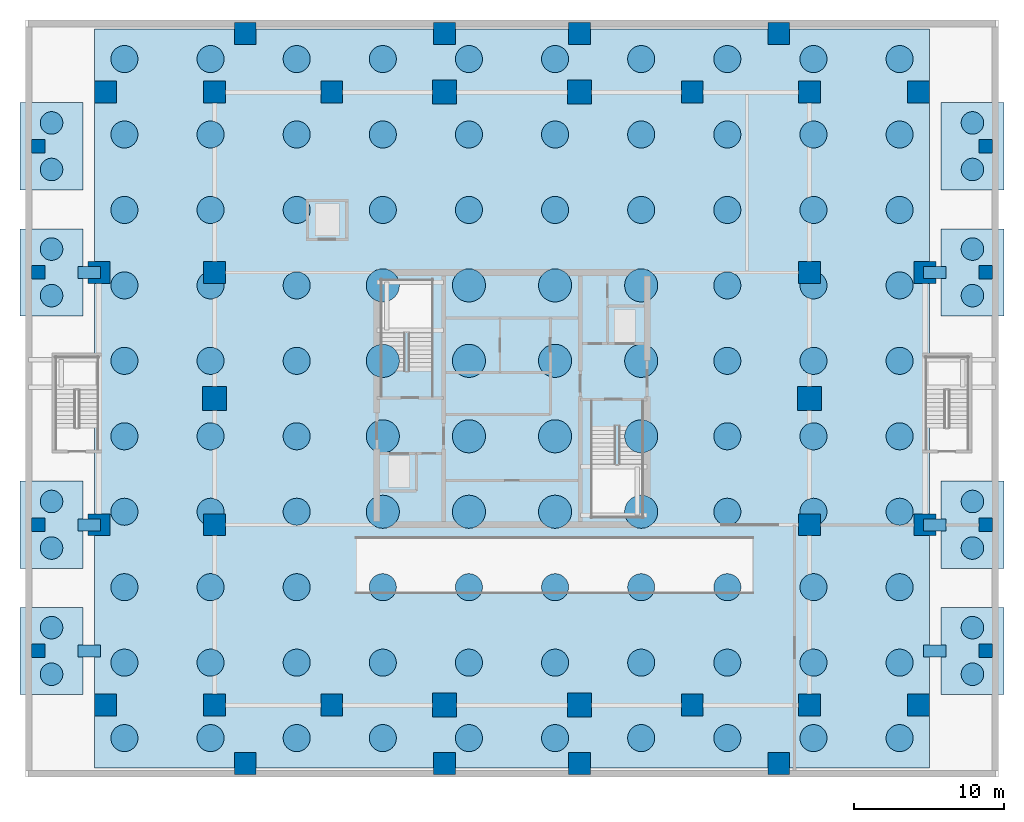
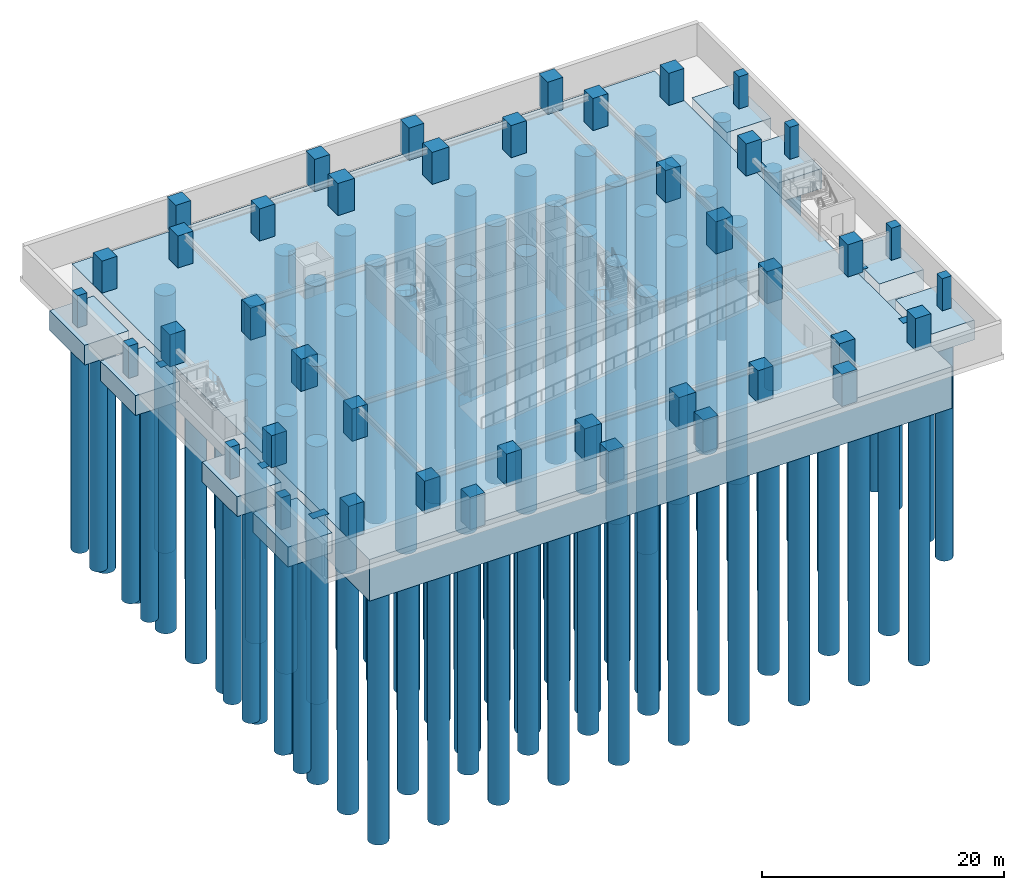
# One storey, part 1 of 12: 116 piles, 42 columns, 15 footings.
"""IFC4 building model written with IfcOpenShell, lengths in metres."""

import ifcopenshell
import ifcopenshell.guid

model = None  # the IFC model being written
_history = None  # IfcOwnerHistory: only IFC2X3 demands one
_inside = {}  # id of a spatial element -> (the spatial element, [elements in it])
_under = {}  # id of a project, library or spatial element -> (it, [spatial elements below it])
_declared = {}  # id of a project -> (the project, [libraries it declares])
_typed = {}  # id of a type object -> (the type object, [elements of that type])
_made_of = {}  # id of a material, layer set ... -> (it, [elements and type objects made of it])


def new_model(schema):
    """Start an empty IFC model of exactly this schema.

    Asked for "IFC4X3", IfcOpenShell would pick the latest addendum, in which some entities
    have other attributes; the version numbers below select the first issue.
    IFC2X3 requires an IfcOwnerHistory on every rooted entity: one is made here for all.
    """
    global model, _history
    if schema == "IFC4X3":
        model = ifcopenshell.file(schema_version=(4, 3, 0, 0))
    else:
        model = ifcopenshell.file(schema=schema)
    _inside.clear()
    _under.clear()
    _declared.clear()
    _typed.clear()
    _made_of.clear()
    _history = None
    if model.schema == "IFC2X3":
        org = make("IfcOrganization", Name="unknown")
        user = make(
            "IfcPersonAndOrganization",
            ThePerson=make("IfcPerson", FamilyName="unknown"),
            TheOrganization=org,
        )
        app = make(
            "IfcApplication",
            ApplicationDeveloper=org,
            Version="unknown",
            ApplicationFullName="unknown",
            ApplicationIdentifier="unknown",
        )
        _history = make(
            "IfcOwnerHistory",
            OwningUser=user,
            OwningApplication=app,
            ChangeAction="ADDED",
            CreationDate=0,
        )
    return model


def make(cls, **values):
    """One entity of the class cls with the attributes given. An attribute that is None is left unset."""
    return model.create_entity(
        cls, **{name: value for name, value in values.items() if value is not None}
    )


def rooted(cls, **values):
    """An entity with a GlobalId (a new one), such as an element, a storey or a relation."""
    return make(cls, GlobalId=ifcopenshell.guid.new(), OwnerHistory=_history, **values)


def si_unit(unit_type, name, prefix=None):
    """IfcSIUnit, for example si_unit("LENGTHUNIT", "METRE", prefix="MILLI")."""
    return make("IfcSIUnit", UnitType=unit_type, Prefix=prefix, Name=name)


def assignment(units):
    """IfcUnitAssignment: the units of a project."""
    return None if units is None else make("IfcUnitAssignment", Units=units)


def point(xyz):
    """IfcCartesianPoint."""
    return None if xyz is None else make("IfcCartesianPoint", Coordinates=xyz)


def direction(xyz):
    """IfcDirection."""
    return None if xyz is None else make("IfcDirection", DirectionRatios=xyz)


def frame(location, z_axis=None, x_axis=None):
    """IfcAxis2Placement3D, a coordinate frame: its origin and axes. An axis left out is left unset."""
    return make(
        "IfcAxis2Placement3D",
        Location=point(location),
        Axis=direction(z_axis),
        RefDirection=direction(x_axis),
    )


def frame_2d(location, x_axis=None):
    """IfcAxis2Placement2D, a coordinate frame in the plane: its origin and x axis."""
    return make(
        "IfcAxis2Placement2D", Location=point(location), RefDirection=direction(x_axis)
    )


def origin():
    """The frame at (0, 0, 0) with its axes left unset."""
    return frame((0.0, 0.0, 0.0))


def origin_2d():
    """The frame at (0, 0) in the plane with its x axis left unset."""
    return frame_2d((0.0, 0.0))


def place(relative_to, where):
    """IfcLocalPlacement: puts the frame where relative to a parent placement (None: the world)."""
    return make(
        "IfcLocalPlacement", PlacementRelTo=relative_to, RelativePlacement=where
    )


def context(
    kind, dimensions, precision=None, world=None, true_north=None, identifier=None
):
    """IfcGeometricRepresentationContext, for example the 3D "Model" context."""
    return make(
        "IfcGeometricRepresentationContext",
        ContextIdentifier=identifier,
        ContextType=kind,
        CoordinateSpaceDimension=dimensions,
        Precision=precision,
        WorldCoordinateSystem=world,
        TrueNorth=true_north,
    )


def subcontext(parent, identifier, kind, view, scale=None):
    """IfcGeometricRepresentationSubContext, for example "Body" below "Model"."""
    return make(
        "IfcGeometricRepresentationSubContext",
        ContextIdentifier=identifier,
        ContextType=kind,
        ParentContext=parent,
        TargetScale=scale,
        TargetView=view,
    )


def project(units=None, contexts=None):
    """IfcProject with its units and contexts."""
    return rooted(
        "IfcProject",
        Name="project",
        RepresentationContexts=contexts,
        UnitsInContext=assignment(units),
    )


def spatial(cls, under=None, at=None, **own):
    """A site, building, storey or space (cls), placed at a placement, below another one or the project."""
    s = rooted(cls, ObjectPlacement=at, **own)
    if under is not None:
        _under.setdefault(under.id(), (under, []))[1].append(s)
    return s


def polyline(points):
    """IfcPolyline through the points."""
    return make("IfcPolyline", Points=[point(p) for p in points])


def profile(cls, at=None, kind="AREA", **sizes):
    """A parametric profile (cls). Its sizes go by their IFC names, for example OverallWidth=200.0."""
    return make(cls, ProfileType=kind, Position=at, **sizes)


def rectangle(**sizes):
    """IfcRectangleProfileDef."""
    return profile("IfcRectangleProfileDef", **sizes)


def circle(**sizes):
    """IfcCircleProfileDef."""
    return profile("IfcCircleProfileDef", **sizes)


def outline(outer, holes=None, kind="AREA"):
    """IfcArbitraryClosedProfileDef: a profile drawn as a closed curve; with holes, ...WithVoids."""
    if holes is None:
        return make("IfcArbitraryClosedProfileDef", ProfileType=kind, OuterCurve=outer)
    return make(
        "IfcArbitraryProfileDefWithVoids",
        ProfileType=kind,
        OuterCurve=outer,
        InnerCurves=holes,
    )


def extrude(swept, where, along, depth):
    """IfcExtrudedAreaSolid: the profile swept, set in the frame where, extruded along a direction by depth."""
    return make(
        "IfcExtrudedAreaSolid",
        SweptArea=swept,
        Position=where,
        ExtrudedDirection=direction(along),
        Depth=depth,
    )


def shape(context_of_items, identifier, shape_type, items):
    """IfcShapeRepresentation: the items that make up one representation, for example the "Body"."""
    return make(
        "IfcShapeRepresentation",
        ContextOfItems=context_of_items,
        RepresentationIdentifier=identifier,
        RepresentationType=shape_type,
        Items=items,
    )


def source(mapping_origin, context_of_items, identifier, shape_type, items):
    """IfcRepresentationMap: a shape defined once, which mapped items show again and again."""
    return make(
        "IfcRepresentationMap",
        MappingOrigin=mapping_origin,
        MappedRepresentation=shape(context_of_items, identifier, shape_type, items),
    )


def transform(
    local_origin,
    x_axis=None,
    y_axis=None,
    z_axis=None,
    scale=None,
    scale2=None,
    scale3=None,
    uniform=True,
):
    """IfcCartesianTransformationOperator3D, or its non-uniform kind. x_axis, y_axis, z_axis: its Axis1, 2, 3."""
    if uniform:
        return make(
            "IfcCartesianTransformationOperator3D",
            Axis1=direction(x_axis),
            Axis2=direction(y_axis),
            LocalOrigin=point(local_origin),
            Scale=scale,
            Axis3=direction(z_axis),
        )
    return make(
        "IfcCartesianTransformationOperator3DnonUniform",
        Axis1=direction(x_axis),
        Axis2=direction(y_axis),
        LocalOrigin=point(local_origin),
        Scale=scale,
        Axis3=direction(z_axis),
        Scale2=scale2,
        Scale3=scale3,
    )


def mapped(mapping_source, mapping_target):
    """IfcMappedItem: shows the shape of a source again, moved by a transform."""
    return make(
        "IfcMappedItem", MappingSource=mapping_source, MappingTarget=mapping_target
    )


def material(Name=None, Category=None):
    """IfcMaterial."""
    return make("IfcMaterial", Name=Name, Category=Category)


def layer(
    of_material, thickness, ventilated=None, Name=None, Category=None, Priority=None
):
    """IfcMaterialLayer: one layer of a wall or slab, of a material (None: an air gap)."""
    return make(
        "IfcMaterialLayer",
        Material=of_material,
        LayerThickness=thickness,
        IsVentilated=ventilated,
        Name=Name,
        Category=Category,
        Priority=Priority,
    )


def layer_set(layers, Name=None):
    """IfcMaterialLayerSet."""
    return make("IfcMaterialLayerSet", MaterialLayers=layers, LayerSetName=Name)


def material_profile(
    of_material, cross_section, Name=None, Category=None, Priority=None
):
    """IfcMaterialProfile: a cross section and its material."""
    return make(
        "IfcMaterialProfile",
        Name=Name,
        Material=of_material,
        Profile=cross_section,
        Priority=Priority,
        Category=Category,
    )


def profile_set(profiles, Name=None, composite=None):
    """IfcMaterialProfileSet."""
    return make(
        "IfcMaterialProfileSet",
        Name=Name,
        MaterialProfiles=profiles,
        CompositeProfile=composite,
    )


def made_of(thing, what):
    """Note that an element or type object is made of a material, layer set ...; save() writes the relation."""
    if what is not None:
        _made_of.setdefault(what.id(), (what, []))[1].append(thing)
    return thing


def type_object(cls, material=None, **own):
    """A type object (cls), such as IfcWallType, which elements share."""
    return made_of(rooted(cls, **own), material)


def element(
    cls,
    number,
    at=None,
    inside=None,
    cuts=None,
    type_object=None,
    material=None,
    context=None,
    identifier="Body",
    shape_type=None,
    held_by="IfcProductDefinitionShape",
    body=None,
    shapes=None,
    **own,
):
    """One element of the class cls, such as IfcWall. Its Tag is "e" and its number.

    at: its placement. inside: the storey or other place that contains it. cuts: it is an
    opening in that element (IfcRelVoidsElement). A single representation is given by context,
    identifier, shape_type and body (its items); several are given by shapes. held_by: the class
    of the entity that holds the representations. save() writes the other relations.
    """
    e = rooted(cls, Tag="e%d" % number, ObjectPlacement=at, **own)
    if body is not None:
        shapes = [shape(context, identifier, shape_type, body)]
    if shapes is not None:
        e.Representation = make(held_by, Representations=shapes)
    if inside is not None:
        _inside.setdefault(inside.id(), (inside, []))[1].append(e)
    if cuts is not None:
        rooted(
            "IfcRelVoidsElement", RelatingBuildingElement=cuts, RelatedOpeningElement=e
        )
    if type_object is not None:
        _typed.setdefault(type_object.id(), (type_object, []))[1].append(e)
    return made_of(e, material)


def aggregate(whole, parts):
    """IfcRelAggregates: a whole, such as a stair, and the parts it consists of."""
    return rooted("IfcRelAggregates", RelatingObject=whole, RelatedObjects=parts)


def save(model, path):
    """Write the relations noted so far, then the file.

    IfcRelAggregates (storeys below a building ...), IfcRelContainedInSpatialStructure (elements
    in a storey), IfcRelDefinesByType, IfcRelAssociatesMaterial and IfcRelDeclares: one each for
    every whole, place, type object, material and project.
    """
    for whole, parts in _under.values():
        aggregate(whole, parts)
    for where, things in _inside.values():
        rooted(
            "IfcRelContainedInSpatialStructure",
            RelatedElements=things,
            RelatingStructure=where,
        )
    for kind, things in _typed.values():
        rooted("IfcRelDefinesByType", RelatedObjects=things, RelatingType=kind)
    for what, things in _made_of.values():
        rooted("IfcRelAssociatesMaterial", RelatedObjects=things, RelatingMaterial=what)
    for by, libraries in _declared.values():
        rooted("IfcRelDeclares", RelatingContext=by, RelatedDefinitions=libraries)
    model.write(path)


model = new_model("IFC4")

# Units and contexts
model_context = context("Model", 3, precision=1e-05, world=origin(), true_north=direction((0.0, 1.0)))
body_context = subcontext(model_context, "Body", "Model", "MODEL_VIEW")
ifc_project = project(units=[si_unit("LENGTHUNIT", "METRE"), si_unit("AREAUNIT", "SQUARE_METRE"), si_unit("VOLUMEUNIT", "CUBIC_METRE"), si_unit("PLANEANGLEUNIT", "RADIAN"), si_unit("MASSUNIT", "GRAM", prefix="KILO")], contexts=[model_context])

# Site, building, storey
site_placement = place(None, origin())
site = spatial("IfcSite", under=ifc_project, at=site_placement, CompositionType="ELEMENT")
building_placement = place(site_placement, origin())
building = spatial("IfcBuilding", under=site, at=building_placement, Name="Serunith Strait Residences", CompositionType="ELEMENT")
storey_placement = place(building_placement, frame((0.0, 0.0, -10.800048828125)))
storey = spatial("IfcBuildingStorey", under=building, at=storey_placement, Name="B03", CompositionType="ELEMENT", Elevation=-10.800048828125)

# Footings
ifc_material_1 = material(Name="Concrete C50/60", Category="concrete")
ifc_layer_1 = layer(ifc_material_1, 2.0, Name="Concrete C50/60")
ifc_layer_set_1 = layer_set([ifc_layer_1], Name="Concrete C50/60")
footing_type_1 = type_object("IfcFootingType", Name="FND-PC2", PredefinedType="PILE_CAP", material=ifc_layer_set_1)
footing_1_placement = place(storey_placement, frame((0.0, 0.0, -2.0)))
element("IfcFooting", 1, at=footing_1_placement, inside=storey, type_object=footing_type_1, Name="Podium Pile Cap FND-PC-01", PredefinedType="PILE_CAP", context=body_context, shape_type="SweptSolid", body=[
    extrude(outline(polyline([(-0.35009765625, 5.5), (3.85009765625, 5.5), (3.85009765625, 11.300048828125), (-0.35009765625, 11.300048828125), (-0.35009765625, 5.5)])), origin(), (0.0, 0.0, 1.0), 2.0),
])
footing_2_placement = place(storey_placement, frame((0.0, 0.0, -2.0)))
element("IfcFooting", 2, at=footing_2_placement, inside=storey, type_object=footing_type_1, Name="Podium Pile Cap FND-PC-02", PredefinedType="PILE_CAP", context=body_context, shape_type="SweptSolid", body=[
    extrude(outline(polyline([(-0.35009765625, 13.89990234375), (3.85009765625, 13.89990234375), (3.85009765625, 19.699951171875), (-0.35009765625, 19.699951171875), (-0.35009765625, 13.89990234375)])), origin(), (0.0, 0.0, 1.0), 2.0),
])
footing_3_placement = place(storey_placement, frame((0.0, 0.0, -2.0)))
element("IfcFooting", 3, at=footing_3_placement, inside=storey, type_object=footing_type_1, Name="Podium Pile Cap FND-PC-03", PredefinedType="PILE_CAP", context=body_context, shape_type="SweptSolid", body=[
    extrude(outline(polyline([(-0.35009765625, 30.699951171875), (3.85009765625, 30.699951171875), (3.85009765625, 36.5), (-0.35009765625, 36.5), (-0.35009765625, 30.699951171875)])), origin(), (0.0, 0.0, 1.0), 2.0),
])
footing_4_placement = place(storey_placement, frame((0.0, 0.0, -2.0)))
element("IfcFooting", 4, at=footing_4_placement, inside=storey, type_object=footing_type_1, Name="Podium Pile Cap FND-PC-04", PredefinedType="PILE_CAP", context=body_context, shape_type="SweptSolid", body=[
    extrude(outline(polyline([(-0.35009765625, 39.10009765625), (3.85009765625, 39.10009765625), (3.85009765625, 44.89990234375), (-0.35009765625, 44.89990234375), (-0.35009765625, 39.10009765625)])), origin(), (0.0, 0.0, 1.0), 2.0),
])
footing_5_placement = place(storey_placement, frame((0.0, 0.0, -2.0)))
element("IfcFooting", 5, at=footing_5_placement, inside=storey, type_object=footing_type_1, Name="Podium Pile Cap FND-PC-05", PredefinedType="PILE_CAP", context=body_context, shape_type="SweptSolid", body=[
    extrude(outline(polyline([(60.949951171875, 5.5), (65.14990234375, 5.5), (65.14990234375, 11.300048828125), (60.949951171875, 11.300048828125), (60.949951171875, 5.5)])), origin(), (0.0, 0.0, 1.0), 2.0),
])
footing_6_placement = place(storey_placement, frame((0.0, 0.0, -2.0)))
element("IfcFooting", 6, at=footing_6_placement, inside=storey, type_object=footing_type_1, Name="Podium Pile Cap FND-PC-06", PredefinedType="PILE_CAP", context=body_context, shape_type="SweptSolid", body=[
    extrude(outline(polyline([(60.949951171875, 13.89990234375), (65.14990234375, 13.89990234375), (65.14990234375, 19.699951171875), (60.949951171875, 19.699951171875), (60.949951171875, 13.89990234375)])), origin(), (0.0, 0.0, 1.0), 2.0),
])
footing_7_placement = place(storey_placement, frame((0.0, 0.0, -2.0)))
element("IfcFooting", 7, at=footing_7_placement, inside=storey, type_object=footing_type_1, Name="Podium Pile Cap FND-PC-07", PredefinedType="PILE_CAP", context=body_context, shape_type="SweptSolid", body=[
    extrude(outline(polyline([(60.949951171875, 30.699951171875), (65.14990234375, 30.699951171875), (65.14990234375, 36.5), (60.949951171875, 36.5), (60.949951171875, 30.699951171875)])), origin(), (0.0, 0.0, 1.0), 2.0),
])
footing_8_placement = place(storey_placement, frame((0.0, 0.0, -2.0)))
element("IfcFooting", 8, at=footing_8_placement, inside=storey, type_object=footing_type_1, Name="Podium Pile Cap FND-PC-08", PredefinedType="PILE_CAP", context=body_context, shape_type="SweptSolid", body=[
    extrude(outline(polyline([(60.949951171875, 39.10009765625), (65.14990234375, 39.10009765625), (65.14990234375, 44.89990234375), (60.949951171875, 44.89990234375), (60.949951171875, 39.10009765625)])), origin(), (0.0, 0.0, 1.0), 2.0),
])
ifc_layer_2 = layer(ifc_material_1, 4.199951171875, Name="Concrete C50/60")
ifc_layer_set_2 = layer_set([ifc_layer_2], Name="Concrete C50/60")
footing_type_2 = type_object("IfcFootingType", Name="FND-RAFT", PredefinedType="PILE_CAP", material=ifc_layer_set_2)
footing_9_placement = place(storey_placement, frame((0.0, 0.0, -4.199951171875)))
element("IfcFooting", 9, at=footing_9_placement, inside=storey, type_object=footing_type_2, Name="Tower Piled Raft Foundation", PredefinedType="PILE_CAP", context=body_context, shape_type="SweptSolid", body=[
    extrude(outline(polyline([(4.60009765625, 0.60009765625), (60.199951171875, 0.60009765625), (60.199951171875, 49.800048828125), (4.60009765625, 49.800048828125), (4.60009765625, 0.60009765625)])), origin(), (0.0, 0.0, 1.0), 4.199951171875),
])
ifc_material_profile_1 = material_profile(ifc_material_1, rectangle(XDim=0.800048828125, YDim=1.39990234375, at=origin_2d()), Name="RC 800x1400")
ifc_profile_set_1 = profile_set([ifc_material_profile_1], Name="Concrete C50/60")
footing_type_3 = type_object("IfcFootingType", Name="FND-GB800", PredefinedType="FOOTING_BEAM", material=ifc_profile_set_1)
shared_shape_1 = source(origin(), body_context, "Body", "SweptSolid", [
    extrude(rectangle(XDim=0.800048828125, YDim=1.39990234375, at=origin_2d()), origin(), (0.0, 0.0, 1.0), 1.5),
])
for number, where, z_axis, x_axis, name in (
    (10, (3.5, 8.39990234375, -0.699951171875), (1.0, 0.0, 0.0), (0.0, 1.0, 0.0), "Foundation Tie Beam 01"),
    (11, (3.5, 16.800048828125, -0.699951171875), (1.0, 0.0, 0.0), (0.0, 1.0, 0.0), "Foundation Tie Beam 02"),
    (12, (3.5, 33.60009765625, -0.699951171875), (1.0, 0.0, 0.0), (0.0, 1.0, 0.0), "Foundation Tie Beam 03"),
    (13, (59.800048828125, 8.39990234375, -0.699951171875), (1.0, 0.0, 0.0), (0.0, 1.0, 0.0), "Foundation Tie Beam 04"),
    (14, (59.800048828125, 16.800048828125, -0.699951171875), (1.0, 0.0, 0.0), (0.0, 1.0, 0.0), "Foundation Tie Beam 05"),
    (15, (59.800048828125, 33.60009765625, -0.699951171875), (1.0, 0.0, 0.0), (0.0, 1.0, 0.0), "Foundation Tie Beam 06"),
):
    element("IfcFooting", number, at=place(storey_placement, frame(where, z_axis=z_axis, x_axis=x_axis)), inside=storey, type_object=footing_type_3, Name=name, PredefinedType="FOOTING_BEAM", context=body_context, shape_type="MappedRepresentation", body=[
        mapped(shared_shape_1, transform((0.0, 0.0, 0.0), scale=1.0)),
    ])

# Piles
ifc_material_profile_2 = material_profile(ifc_material_1, circle(Radius=0.89990234375, at=origin_2d()), Name="PILE D1800")
ifc_profile_set_2 = profile_set([ifc_material_profile_2], Name="Concrete C50/60")
pile_type_1 = type_object("IfcPileType", Name="PILE-1800", PredefinedType="BORED", material=ifc_profile_set_2)
shared_shape_2 = source(origin(), body_context, "Body", "SweptSolid", [
    extrude(circle(Radius=0.89990234375, at=origin_2d()), origin(), (0.0, 0.0, 1.0), 26.0),
])
for number, where, z_axis, x_axis, name in (
    (16, (6.60009765625, 2.60009765625, -4.099853515625), (0.0, 0.0, -1.0), (1.0, 0.0, 0.0), "Bored Pile PILE-001"),
    (17, (6.60009765625, 7.622314453125, -4.099853515625), (0.0, 0.0, -1.0), (1.0, 0.0, 0.0), "Bored Pile PILE-002"),
    (18, (6.60009765625, 12.644287109375, -4.099853515625), (0.0, 0.0, -1.0), (1.0, 0.0, 0.0), "Bored Pile PILE-003"),
    (19, (6.60009765625, 17.666748046875, -4.099853515625), (0.0, 0.0, -1.0), (1.0, 0.0, 0.0), "Bored Pile PILE-004"),
    (20, (6.60009765625, 22.68896484375, -4.099853515625), (0.0, 0.0, -1.0), (1.0, 0.0, 0.0), "Bored Pile PILE-005"),
    (21, (6.60009765625, 27.711181640625, -4.099853515625), (0.0, 0.0, -1.0), (1.0, 0.0, 0.0), "Bored Pile PILE-006"),
    (22, (6.60009765625, 32.7333984375, -4.099853515625), (0.0, 0.0, -1.0), (1.0, 0.0, 0.0), "Bored Pile PILE-007"),
    (23, (6.60009765625, 37.755615234375, -4.099853515625), (0.0, 0.0, -1.0), (1.0, 0.0, 0.0), "Bored Pile PILE-008"),
    (24, (6.60009765625, 42.77783203125, -4.099853515625), (0.0, 0.0, -1.0), (1.0, 0.0, 0.0), "Bored Pile PILE-009"),
    (25, (6.60009765625, 47.800048828125, -4.099853515625), (0.0, 0.0, -1.0), (1.0, 0.0, 0.0), "Bored Pile PILE-010"),
    (26, (12.333251953125, 2.60009765625, -4.099853515625), (0.0, 0.0, -1.0), (1.0, 0.0, 0.0), "Bored Pile PILE-011"),
    (27, (12.333251953125, 7.622314453125, -4.099853515625), (0.0, 0.0, -1.0), (1.0, 0.0, 0.0), "Bored Pile PILE-012"),
    (28, (12.333251953125, 12.644287109375, -4.099853515625), (0.0, 0.0, -1.0), (1.0, 0.0, 0.0), "Bored Pile PILE-013"),
    (29, (12.333251953125, 17.666748046875, -4.099853515625), (0.0, 0.0, -1.0), (1.0, 0.0, 0.0), "Bored Pile PILE-014"),
    (30, (12.333251953125, 22.68896484375, -4.099853515625), (0.0, 0.0, -1.0), (1.0, 0.0, 0.0), "Bored Pile PILE-015"),
    (31, (12.333251953125, 27.711181640625, -4.099853515625), (0.0, 0.0, -1.0), (1.0, 0.0, 0.0), "Bored Pile PILE-016"),
    (32, (12.333251953125, 32.7333984375, -4.099853515625), (0.0, 0.0, -1.0), (1.0, 0.0, 0.0), "Bored Pile PILE-017"),
    (33, (12.333251953125, 37.755615234375, -4.099853515625), (0.0, 0.0, -1.0), (1.0, 0.0, 0.0), "Bored Pile PILE-018"),
    (34, (12.333251953125, 42.77783203125, -4.099853515625), (0.0, 0.0, -1.0), (1.0, 0.0, 0.0), "Bored Pile PILE-019"),
    (35, (12.333251953125, 47.800048828125, -4.099853515625), (0.0, 0.0, -1.0), (1.0, 0.0, 0.0), "Bored Pile PILE-020"),
    (36, (18.066650390625, 2.60009765625, -4.099853515625), (0.0, 0.0, -1.0), (1.0, 0.0, 0.0), "Bored Pile PILE-021"),
    (37, (18.066650390625, 7.622314453125, -4.099853515625), (0.0, 0.0, -1.0), (1.0, 0.0, 0.0), "Bored Pile PILE-022"),
    (38, (18.066650390625, 12.644287109375, -4.099853515625), (0.0, 0.0, -1.0), (1.0, 0.0, 0.0), "Bored Pile PILE-023"),
    (39, (18.066650390625, 17.666748046875, -4.099853515625), (0.0, 0.0, -1.0), (1.0, 0.0, 0.0), "Bored Pile PILE-024"),
    (40, (18.066650390625, 22.68896484375, -4.099853515625), (0.0, 0.0, -1.0), (1.0, 0.0, 0.0), "Bored Pile PILE-025"),
    (41, (18.066650390625, 27.711181640625, -4.099853515625), (0.0, 0.0, -1.0), (1.0, 0.0, 0.0), "Bored Pile PILE-026"),
    (42, (18.066650390625, 32.7333984375, -4.099853515625), (0.0, 0.0, -1.0), (1.0, 0.0, 0.0), "Bored Pile PILE-027"),
    (43, (18.066650390625, 37.755615234375, -4.099853515625), (0.0, 0.0, -1.0), (1.0, 0.0, 0.0), "Bored Pile PILE-028"),
    (44, (18.066650390625, 42.77783203125, -4.099853515625), (0.0, 0.0, -1.0), (1.0, 0.0, 0.0), "Bored Pile PILE-029"),
    (45, (18.066650390625, 47.800048828125, -4.099853515625), (0.0, 0.0, -1.0), (1.0, 0.0, 0.0), "Bored Pile PILE-030"),
    (46, (23.800048828125, 2.60009765625, -4.099853515625), (0.0, 0.0, -1.0), (1.0, 0.0, 0.0), "Bored Pile PILE-031"),
    (47, (23.800048828125, 7.622314453125, -4.099853515625), (0.0, 0.0, -1.0), (1.0, 0.0, 0.0), "Bored Pile PILE-032"),
    (48, (23.800048828125, 12.644287109375, -4.099853515625), (0.0, 0.0, -1.0), (1.0, 0.0, 0.0), "Bored Pile PILE-033"),
    (49, (23.800048828125, 37.755615234375, -4.099853515625), (0.0, 0.0, -1.0), (1.0, 0.0, 0.0), "Bored Pile PILE-038"),
    (50, (23.800048828125, 42.77783203125, -4.099853515625), (0.0, 0.0, -1.0), (1.0, 0.0, 0.0), "Bored Pile PILE-039"),
    (51, (23.800048828125, 47.800048828125, -4.099853515625), (0.0, 0.0, -1.0), (1.0, 0.0, 0.0), "Bored Pile PILE-040"),
    (52, (29.533203125, 2.60009765625, -4.099853515625), (0.0, 0.0, -1.0), (1.0, 0.0, 0.0), "Bored Pile PILE-041"),
    (53, (29.533203125, 7.622314453125, -4.099853515625), (0.0, 0.0, -1.0), (1.0, 0.0, 0.0), "Bored Pile PILE-042"),
    (54, (29.533203125, 12.644287109375, -4.099853515625), (0.0, 0.0, -1.0), (1.0, 0.0, 0.0), "Bored Pile PILE-043"),
    (55, (29.533203125, 37.755615234375, -4.099853515625), (0.0, 0.0, -1.0), (1.0, 0.0, 0.0), "Bored Pile PILE-048"),
    (56, (29.533203125, 42.77783203125, -4.099853515625), (0.0, 0.0, -1.0), (1.0, 0.0, 0.0), "Bored Pile PILE-049"),
    (57, (29.533203125, 47.800048828125, -4.099853515625), (0.0, 0.0, -1.0), (1.0, 0.0, 0.0), "Bored Pile PILE-050"),
    (58, (35.2666015625, 2.60009765625, -4.099853515625), (0.0, 0.0, -1.0), (1.0, 0.0, 0.0), "Bored Pile PILE-051"),
    (59, (35.2666015625, 7.622314453125, -4.099853515625), (0.0, 0.0, -1.0), (1.0, 0.0, 0.0), "Bored Pile PILE-052"),
    (60, (35.2666015625, 12.644287109375, -4.099853515625), (0.0, 0.0, -1.0), (1.0, 0.0, 0.0), "Bored Pile PILE-053"),
    (61, (35.2666015625, 37.755615234375, -4.099853515625), (0.0, 0.0, -1.0), (1.0, 0.0, 0.0), "Bored Pile PILE-058"),
    (62, (35.2666015625, 42.77783203125, -4.099853515625), (0.0, 0.0, -1.0), (1.0, 0.0, 0.0), "Bored Pile PILE-059"),
    (63, (35.2666015625, 47.800048828125, -4.099853515625), (0.0, 0.0, -1.0), (1.0, 0.0, 0.0), "Bored Pile PILE-060"),
    (64, (41.0, 2.60009765625, -4.099853515625), (0.0, 0.0, -1.0), (1.0, 0.0, 0.0), "Bored Pile PILE-061"),
    (65, (41.0, 7.622314453125, -4.099853515625), (0.0, 0.0, -1.0), (1.0, 0.0, 0.0), "Bored Pile PILE-062"),
    (66, (41.0, 12.644287109375, -4.099853515625), (0.0, 0.0, -1.0), (1.0, 0.0, 0.0), "Bored Pile PILE-063"),
    (67, (41.0, 37.755615234375, -4.099853515625), (0.0, 0.0, -1.0), (1.0, 0.0, 0.0), "Bored Pile PILE-068"),
    (68, (41.0, 42.77783203125, -4.099853515625), (0.0, 0.0, -1.0), (1.0, 0.0, 0.0), "Bored Pile PILE-069"),
    (69, (41.0, 47.800048828125, -4.099853515625), (0.0, 0.0, -1.0), (1.0, 0.0, 0.0), "Bored Pile PILE-070"),
    (70, (46.7333984375, 2.60009765625, -4.099853515625), (0.0, 0.0, -1.0), (1.0, 0.0, 0.0), "Bored Pile PILE-071"),
    (71, (46.7333984375, 7.622314453125, -4.099853515625), (0.0, 0.0, -1.0), (1.0, 0.0, 0.0), "Bored Pile PILE-072"),
    (72, (46.7333984375, 12.644287109375, -4.099853515625), (0.0, 0.0, -1.0), (1.0, 0.0, 0.0), "Bored Pile PILE-073"),
    (73, (46.7333984375, 17.666748046875, -4.099853515625), (0.0, 0.0, -1.0), (1.0, 0.0, 0.0), "Bored Pile PILE-074"),
    (74, (46.7333984375, 22.68896484375, -4.099853515625), (0.0, 0.0, -1.0), (1.0, 0.0, 0.0), "Bored Pile PILE-075"),
    (75, (46.7333984375, 27.711181640625, -4.099853515625), (0.0, 0.0, -1.0), (1.0, 0.0, 0.0), "Bored Pile PILE-076"),
    (76, (46.7333984375, 32.7333984375, -4.099853515625), (0.0, 0.0, -1.0), (1.0, 0.0, 0.0), "Bored Pile PILE-077"),
    (77, (46.7333984375, 37.755615234375, -4.099853515625), (0.0, 0.0, -1.0), (1.0, 0.0, 0.0), "Bored Pile PILE-078"),
    (78, (46.7333984375, 42.77783203125, -4.099853515625), (0.0, 0.0, -1.0), (1.0, 0.0, 0.0), "Bored Pile PILE-079"),
    (79, (46.7333984375, 47.800048828125, -4.099853515625), (0.0, 0.0, -1.0), (1.0, 0.0, 0.0), "Bored Pile PILE-080"),
    (80, (52.466796875, 2.60009765625, -4.099853515625), (0.0, 0.0, -1.0), (1.0, 0.0, 0.0), "Bored Pile PILE-081"),
    (81, (52.466796875, 7.622314453125, -4.099853515625), (0.0, 0.0, -1.0), (1.0, 0.0, 0.0), "Bored Pile PILE-082"),
    (82, (52.466796875, 12.644287109375, -4.099853515625), (0.0, 0.0, -1.0), (1.0, 0.0, 0.0), "Bored Pile PILE-083"),
    (83, (52.466796875, 17.666748046875, -4.099853515625), (0.0, 0.0, -1.0), (1.0, 0.0, 0.0), "Bored Pile PILE-084"),
    (84, (52.466796875, 22.68896484375, -4.099853515625), (0.0, 0.0, -1.0), (1.0, 0.0, 0.0), "Bored Pile PILE-085"),
    (85, (52.466796875, 27.711181640625, -4.099853515625), (0.0, 0.0, -1.0), (1.0, 0.0, 0.0), "Bored Pile PILE-086"),
    (86, (52.466796875, 32.7333984375, -4.099853515625), (0.0, 0.0, -1.0), (1.0, 0.0, 0.0), "Bored Pile PILE-087"),
    (87, (52.466796875, 37.755615234375, -4.099853515625), (0.0, 0.0, -1.0), (1.0, 0.0, 0.0), "Bored Pile PILE-088"),
    (88, (52.466796875, 42.77783203125, -4.099853515625), (0.0, 0.0, -1.0), (1.0, 0.0, 0.0), "Bored Pile PILE-089"),
    (89, (52.466796875, 47.800048828125, -4.099853515625), (0.0, 0.0, -1.0), (1.0, 0.0, 0.0), "Bored Pile PILE-090"),
    (90, (58.199951171875, 2.60009765625, -4.099853515625), (0.0, 0.0, -1.0), (1.0, 0.0, 0.0), "Bored Pile PILE-091"),
    (91, (58.199951171875, 7.622314453125, -4.099853515625), (0.0, 0.0, -1.0), (1.0, 0.0, 0.0), "Bored Pile PILE-092"),
    (92, (58.199951171875, 12.644287109375, -4.099853515625), (0.0, 0.0, -1.0), (1.0, 0.0, 0.0), "Bored Pile PILE-093"),
    (93, (58.199951171875, 17.666748046875, -4.099853515625), (0.0, 0.0, -1.0), (1.0, 0.0, 0.0), "Bored Pile PILE-094"),
    (94, (58.199951171875, 22.68896484375, -4.099853515625), (0.0, 0.0, -1.0), (1.0, 0.0, 0.0), "Bored Pile PILE-095"),
    (95, (58.199951171875, 27.711181640625, -4.099853515625), (0.0, 0.0, -1.0), (1.0, 0.0, 0.0), "Bored Pile PILE-096"),
    (96, (58.199951171875, 32.7333984375, -4.099853515625), (0.0, 0.0, -1.0), (1.0, 0.0, 0.0), "Bored Pile PILE-097"),
    (97, (58.199951171875, 37.755615234375, -4.099853515625), (0.0, 0.0, -1.0), (1.0, 0.0, 0.0), "Bored Pile PILE-098"),
    (98, (58.199951171875, 42.77783203125, -4.099853515625), (0.0, 0.0, -1.0), (1.0, 0.0, 0.0), "Bored Pile PILE-099"),
    (99, (58.199951171875, 47.800048828125, -4.099853515625), (0.0, 0.0, -1.0), (1.0, 0.0, 0.0), "Bored Pile PILE-100"),
):
    element("IfcPile", number, at=place(storey_placement, frame(where, z_axis=z_axis, x_axis=x_axis)), inside=storey, type_object=pile_type_1, Name=name, PredefinedType="BORED", context=body_context, shape_type="MappedRepresentation", body=[
        mapped(shared_shape_2, transform((0.0, 0.0, 0.0), scale=1.0)),
    ])
ifc_material_profile_3 = material_profile(ifc_material_1, circle(Radius=1.10009765625, at=origin_2d()), Name="PILE D2200")
ifc_profile_set_3 = profile_set([ifc_material_profile_3], Name="Concrete C50/60")
pile_type_2 = type_object("IfcPileType", Name="PILE-2200", PredefinedType="BORED", material=ifc_profile_set_3)
shared_shape_3 = source(origin(), body_context, "Body", "SweptSolid", [
    extrude(circle(Radius=1.10009765625, at=origin_2d()), origin(), (0.0, 0.0, 1.0), 32.0),
])
for number, where, z_axis, x_axis, name in (
    (100, (23.800048828125, 17.666748046875, -4.099853515625), (0.0, 0.0, -1.0), (1.0, 0.0, 0.0), "Bored Pile PILE-034"),
    (101, (23.800048828125, 22.68896484375, -4.099853515625), (0.0, 0.0, -1.0), (1.0, 0.0, 0.0), "Bored Pile PILE-035"),
    (102, (23.800048828125, 27.711181640625, -4.099853515625), (0.0, 0.0, -1.0), (1.0, 0.0, 0.0), "Bored Pile PILE-036"),
    (103, (23.800048828125, 32.7333984375, -4.099853515625), (0.0, 0.0, -1.0), (1.0, 0.0, 0.0), "Bored Pile PILE-037"),
    (104, (29.533203125, 17.666748046875, -4.099853515625), (0.0, 0.0, -1.0), (1.0, 0.0, 0.0), "Bored Pile PILE-044"),
    (105, (29.533203125, 22.68896484375, -4.099853515625), (0.0, 0.0, -1.0), (1.0, 0.0, 0.0), "Bored Pile PILE-045"),
    (106, (29.533203125, 27.711181640625, -4.099853515625), (0.0, 0.0, -1.0), (1.0, 0.0, 0.0), "Bored Pile PILE-046"),
    (107, (29.533203125, 32.7333984375, -4.099853515625), (0.0, 0.0, -1.0), (1.0, 0.0, 0.0), "Bored Pile PILE-047"),
    (108, (35.2666015625, 17.666748046875, -4.099853515625), (0.0, 0.0, -1.0), (1.0, 0.0, 0.0), "Bored Pile PILE-054"),
    (109, (35.2666015625, 22.68896484375, -4.099853515625), (0.0, 0.0, -1.0), (1.0, 0.0, 0.0), "Bored Pile PILE-055"),
    (110, (35.2666015625, 27.711181640625, -4.099853515625), (0.0, 0.0, -1.0), (1.0, 0.0, 0.0), "Bored Pile PILE-056"),
    (111, (35.2666015625, 32.7333984375, -4.099853515625), (0.0, 0.0, -1.0), (1.0, 0.0, 0.0), "Bored Pile PILE-057"),
    (112, (41.0, 17.666748046875, -4.099853515625), (0.0, 0.0, -1.0), (1.0, 0.0, 0.0), "Bored Pile PILE-064"),
    (113, (41.0, 22.68896484375, -4.099853515625), (0.0, 0.0, -1.0), (1.0, 0.0, 0.0), "Bored Pile PILE-065"),
    (114, (41.0, 27.711181640625, -4.099853515625), (0.0, 0.0, -1.0), (1.0, 0.0, 0.0), "Bored Pile PILE-066"),
    (115, (41.0, 32.7333984375, -4.099853515625), (0.0, 0.0, -1.0), (1.0, 0.0, 0.0), "Bored Pile PILE-067"),
):
    element("IfcPile", number, at=place(storey_placement, frame(where, z_axis=z_axis, x_axis=x_axis)), inside=storey, type_object=pile_type_2, Name=name, PredefinedType="BORED", context=body_context, shape_type="MappedRepresentation", body=[
        mapped(shared_shape_3, transform((0.0, 0.0, 0.0), scale=1.0)),
    ])
ifc_material_profile_4 = material_profile(ifc_material_1, circle(Radius=0.75, at=origin_2d()), Name="PILE D1500")
ifc_profile_set_4 = profile_set([ifc_material_profile_4], Name="Concrete C50/60")
pile_type_3 = type_object("IfcPileType", Name="PILE-1500", PredefinedType="BORED", material=ifc_profile_set_4)
shared_shape_4 = source(origin(), body_context, "Body", "SweptSolid", [
    extrude(circle(Radius=0.75, at=origin_2d()), origin(), (0.0, 0.0, 1.0), 22.0),
])
for number, where, z_axis, x_axis, name in (
    (116, (1.75, 6.85009765625, -1.89990234375), (0.0, 0.0, -1.0), (1.0, 0.0, 0.0), "Bored Pile PILE-101"),
    (117, (1.75, 9.949951171875, -1.89990234375), (0.0, 0.0, -1.0), (1.0, 0.0, 0.0), "Bored Pile PILE-102"),
    (118, (1.75, 15.25, -1.89990234375), (0.0, 0.0, -1.0), (1.0, 0.0, 0.0), "Bored Pile PILE-103"),
    (119, (1.75, 18.35009765625, -1.89990234375), (0.0, 0.0, -1.0), (1.0, 0.0, 0.0), "Bored Pile PILE-104"),
    (120, (1.75, 32.050048828125, -1.89990234375), (0.0, 0.0, -1.0), (1.0, 0.0, 0.0), "Bored Pile PILE-105"),
    (121, (1.75, 35.14990234375, -1.89990234375), (0.0, 0.0, -1.0), (1.0, 0.0, 0.0), "Bored Pile PILE-106"),
    (122, (1.75, 40.449951171875, -1.89990234375), (0.0, 0.0, -1.0), (1.0, 0.0, 0.0), "Bored Pile PILE-107"),
    (123, (1.75, 43.550048828125, -1.89990234375), (0.0, 0.0, -1.0), (1.0, 0.0, 0.0), "Bored Pile PILE-108"),
    (124, (63.050048828125, 6.85009765625, -1.89990234375), (0.0, 0.0, -1.0), (1.0, 0.0, 0.0), "Bored Pile PILE-109"),
    (125, (63.050048828125, 9.949951171875, -1.89990234375), (0.0, 0.0, -1.0), (1.0, 0.0, 0.0), "Bored Pile PILE-110"),
    (126, (63.050048828125, 15.25, -1.89990234375), (0.0, 0.0, -1.0), (1.0, 0.0, 0.0), "Bored Pile PILE-111"),
    (127, (63.050048828125, 18.35009765625, -1.89990234375), (0.0, 0.0, -1.0), (1.0, 0.0, 0.0), "Bored Pile PILE-112"),
    (128, (63.050048828125, 32.050048828125, -1.89990234375), (0.0, 0.0, -1.0), (1.0, 0.0, 0.0), "Bored Pile PILE-113"),
    (129, (63.050048828125, 35.14990234375, -1.89990234375), (0.0, 0.0, -1.0), (1.0, 0.0, 0.0), "Bored Pile PILE-114"),
    (130, (63.050048828125, 40.449951171875, -1.89990234375), (0.0, 0.0, -1.0), (1.0, 0.0, 0.0), "Bored Pile PILE-115"),
    (131, (63.050048828125, 43.550048828125, -1.89990234375), (0.0, 0.0, -1.0), (1.0, 0.0, 0.0), "Bored Pile PILE-116"),
):
    element("IfcPile", number, at=place(storey_placement, frame(where, z_axis=z_axis, x_axis=x_axis)), inside=storey, type_object=pile_type_3, Name=name, PredefinedType="BORED", context=body_context, shape_type="MappedRepresentation", body=[
        mapped(shared_shape_4, transform((0.0, 0.0, 0.0), scale=1.0)),
    ])

# Columns
ifc_material_2 = material(Name="Concrete C70/85", Category="concrete")
ifc_material_profile_5 = material_profile(ifc_material_2, rectangle(XDim=0.89990234375, YDim=0.89990234375, at=origin_2d()), Name="RC 900x900")
ifc_profile_set_5 = profile_set([ifc_material_profile_5], Name="Concrete C70/85")
column_type_1 = type_object("IfcColumnType", Name="COL-RC-900", PredefinedType="COLUMN", material=ifc_profile_set_5)
shared_shape_5 = source(origin(), body_context, "Body", "SweptSolid", [
    extrude(rectangle(XDim=0.89990234375, YDim=0.89990234375, at=origin_2d()), origin(), (0.0, 0.0, 1.0), 3.239990234375),
])
for number, where, z_axis, x_axis, name in (
    (132, (0.85009765625, 8.39990234375, 0.0), (0.0, 0.0, 1.0), (1.0, 0.0, 0.0), "B03 Podium Column PC-W1"),
    (133, (0.85009765625, 16.800048828125, 0.0), (0.0, 0.0, 1.0), (1.0, 0.0, 0.0), "B03 Podium Column PC-W2"),
    (134, (0.85009765625, 33.60009765625, 0.0), (0.0, 0.0, 1.0), (1.0, 0.0, 0.0), "B03 Podium Column PC-W3"),
    (135, (0.85009765625, 42.0, 0.0), (0.0, 0.0, 1.0), (1.0, 0.0, 0.0), "B03 Podium Column PC-W4"),
    (136, (63.949951171875, 8.39990234375, 0.0), (0.0, 0.0, 1.0), (1.0, 0.0, 0.0), "B03 Podium Column PC-E1"),
    (137, (63.949951171875, 16.800048828125, 0.0), (0.0, 0.0, 1.0), (1.0, 0.0, 0.0), "B03 Podium Column PC-E2"),
    (138, (63.949951171875, 33.60009765625, 0.0), (0.0, 0.0, 1.0), (1.0, 0.0, 0.0), "B03 Podium Column PC-E3"),
    (139, (63.949951171875, 42.0, 0.0), (0.0, 0.0, 1.0), (1.0, 0.0, 0.0), "B03 Podium Column PC-E4"),
):
    element("IfcColumn", number, at=place(storey_placement, frame(where, z_axis=z_axis, x_axis=x_axis)), inside=storey, type_object=column_type_1, Name=name, PredefinedType="COLUMN", context=body_context, shape_type="MappedRepresentation", body=[
        mapped(shared_shape_5, transform((0.0, 0.0, 0.0), scale=1.0)),
    ])
ifc_material_3 = material(Name="Concrete C90/105", Category="concrete")
ifc_material_profile_6 = material_profile(ifc_material_3, rectangle(XDim=1.449951171875, YDim=1.449951171875, at=origin_2d()), Name="RC 1450x1450")
ifc_profile_set_6 = profile_set([ifc_material_profile_6], Name="Concrete C90/105")
column_type_2 = type_object("IfcColumnType", Name="COL-RC-1450", PredefinedType="COLUMN", material=ifc_profile_set_6)
shared_shape_6 = source(origin(), body_context, "Body", "SweptSolid", [
    extrude(rectangle(XDim=1.449951171875, YDim=1.449951171875, at=origin_2d()), origin(), (0.0, 0.0, 1.0), 3.239990234375),
])
for number, where, z_axis, x_axis, name in (
    (140, (12.60009765625, 4.800048828125, 0.0), (0.0, 0.0, 1.0), (1.0, 0.0, 0.0), "B03 Podium Column PC-S1"),
    (141, (20.39990234375, 4.800048828125, 0.0), (0.0, 0.0, 1.0), (1.0, 0.0, 0.0), "B03 Podium Column PC-S2"),
    (142, (44.39990234375, 4.800048828125, 0.0), (0.0, 0.0, 1.0), (1.0, 0.0, 0.0), "B03 Podium Column PC-S5"),
    (143, (52.199951171875, 4.800048828125, 0.0), (0.0, 0.0, 1.0), (1.0, 0.0, 0.0), "B03 Podium Column PC-S6"),
    (144, (12.60009765625, 45.60009765625, 0.0), (0.0, 0.0, 1.0), (1.0, 0.0, 0.0), "B03 Podium Column PC-N1"),
    (145, (20.39990234375, 45.60009765625, 0.0), (0.0, 0.0, 1.0), (1.0, 0.0, 0.0), "B03 Podium Column PC-N2"),
    (146, (44.39990234375, 45.60009765625, 0.0), (0.0, 0.0, 1.0), (1.0, 0.0, 0.0), "B03 Podium Column PC-N5"),
    (147, (52.199951171875, 45.60009765625, 0.0), (0.0, 0.0, 1.0), (1.0, 0.0, 0.0), "B03 Podium Column PC-N6"),
    (148, (12.60009765625, 16.800048828125, 0.0), (0.0, 0.0, 1.0), (1.0, 0.0, 0.0), "B03 Podium Column PC-MW1"),
    (149, (12.60009765625, 33.60009765625, 0.0), (0.0, 0.0, 1.0), (1.0, 0.0, 0.0), "B03 Podium Column PC-MW3"),
    (150, (52.199951171875, 16.800048828125, 0.0), (0.0, 0.0, 1.0), (1.0, 0.0, 0.0), "B03 Podium Column PC-ME1"),
    (151, (52.199951171875, 33.60009765625, 0.0), (0.0, 0.0, 1.0), (1.0, 0.0, 0.0), "B03 Podium Column PC-ME3"),
    (152, (14.64990234375, 0.89990234375, 0.0), (0.0, 0.0, 1.0), (1.0, 0.0, 0.0), "B03 Podium Column PC-RS1"),
    (153, (27.89990234375, 0.89990234375, 0.0), (0.0, 0.0, 1.0), (1.0, 0.0, 0.0), "B03 Podium Column PC-RS2"),
    (154, (36.89990234375, 0.89990234375, 0.0), (0.0, 0.0, 1.0), (1.0, 0.0, 0.0), "B03 Podium Column PC-RS3"),
    (155, (50.14990234375, 0.89990234375, 0.0), (0.0, 0.0, 1.0), (1.0, 0.0, 0.0), "B03 Podium Column PC-RS4"),
    (156, (14.64990234375, 49.5, 0.0), (0.0, 0.0, 1.0), (1.0, 0.0, 0.0), "B03 Podium Column PC-RN1"),
    (157, (27.89990234375, 49.5, 0.0), (0.0, 0.0, 1.0), (1.0, 0.0, 0.0), "B03 Podium Column PC-RN2"),
    (158, (36.89990234375, 49.5, 0.0), (0.0, 0.0, 1.0), (1.0, 0.0, 0.0), "B03 Podium Column PC-RN3"),
    (159, (50.14990234375, 49.5, 0.0), (0.0, 0.0, 1.0), (1.0, 0.0, 0.0), "B03 Podium Column PC-RN4"),
    (160, (4.89990234375, 16.800048828125, 0.0), (0.0, 0.0, 1.0), (1.0, 0.0, 0.0), "B03 Podium Column PC-RW1"),
    (161, (4.89990234375, 33.60009765625, 0.0), (0.0, 0.0, 1.0), (1.0, 0.0, 0.0), "B03 Podium Column PC-RW2"),
    (162, (59.89990234375, 16.800048828125, 0.0), (0.0, 0.0, 1.0), (1.0, 0.0, 0.0), "B03 Podium Column PC-RE1"),
    (163, (59.89990234375, 33.60009765625, 0.0), (0.0, 0.0, 1.0), (1.0, 0.0, 0.0), "B03 Podium Column PC-RE2"),
    (164, (5.35009765625, 4.800048828125, 0.0), (0.0, 0.0, 1.0), (1.0, 0.0, 0.0), "B03 Podium Column PC-RWS"),
    (165, (5.35009765625, 45.60009765625, 0.0), (0.0, 0.0, 1.0), (1.0, 0.0, 0.0), "B03 Podium Column PC-RWN"),
    (166, (59.449951171875, 4.800048828125, 0.0), (0.0, 0.0, 1.0), (1.0, 0.0, 0.0), "B03 Podium Column PC-RES"),
    (167, (59.449951171875, 45.60009765625, 0.0), (0.0, 0.0, 1.0), (1.0, 0.0, 0.0), "B03 Podium Column PC-REN"),
):
    element("IfcColumn", number, at=place(storey_placement, frame(where, z_axis=z_axis, x_axis=x_axis)), inside=storey, type_object=column_type_2, Name=name, PredefinedType="COLUMN", context=body_context, shape_type="MappedRepresentation", body=[
        mapped(shared_shape_6, transform((0.0, 0.0, 0.0), scale=1.0)),
    ])
ifc_material_profile_7 = material_profile(ifc_material_3, rectangle(XDim=1.60009765625, YDim=1.60009765625, at=origin_2d()), Name="RC 1600x1600")
ifc_profile_set_7 = profile_set([ifc_material_profile_7], Name="Concrete C90/105")
column_type_3 = type_object("IfcColumnType", Name="COL-RC-1600", PredefinedType="COLUMN", material=ifc_profile_set_7)
shared_shape_7 = source(origin(), body_context, "Body", "SweptSolid", [
    extrude(rectangle(XDim=1.60009765625, YDim=1.60009765625, at=origin_2d()), origin(), (0.0, 0.0, 1.0), 3.239990234375),
])
for number, where, z_axis, x_axis, name in (
    (168, (27.89990234375, 4.800048828125, 0.0), (0.0, 0.0, 1.0), (1.0, 0.0, 0.0), "B03 Podium Column PC-S3"),
    (169, (36.89990234375, 4.800048828125, 0.0), (0.0, 0.0, 1.0), (1.0, 0.0, 0.0), "B03 Podium Column PC-S4"),
    (170, (27.89990234375, 45.60009765625, 0.0), (0.0, 0.0, 1.0), (1.0, 0.0, 0.0), "B03 Podium Column PC-N3"),
    (171, (36.89990234375, 45.60009765625, 0.0), (0.0, 0.0, 1.0), (1.0, 0.0, 0.0), "B03 Podium Column PC-N4"),
    (172, (12.60009765625, 25.199951171875, 0.0), (0.0, 0.0, 1.0), (1.0, 0.0, 0.0), "B03 Podium Column PC-MW2"),
    (173, (52.199951171875, 25.199951171875, 0.0), (0.0, 0.0, 1.0), (1.0, 0.0, 0.0), "B03 Podium Column PC-ME2"),
):
    element("IfcColumn", number, at=place(storey_placement, frame(where, z_axis=z_axis, x_axis=x_axis)), inside=storey, type_object=column_type_3, Name=name, PredefinedType="COLUMN", context=body_context, shape_type="MappedRepresentation", body=[
        mapped(shared_shape_7, transform((0.0, 0.0, 0.0), scale=1.0)),
    ])

save(model, "model.ifc")
